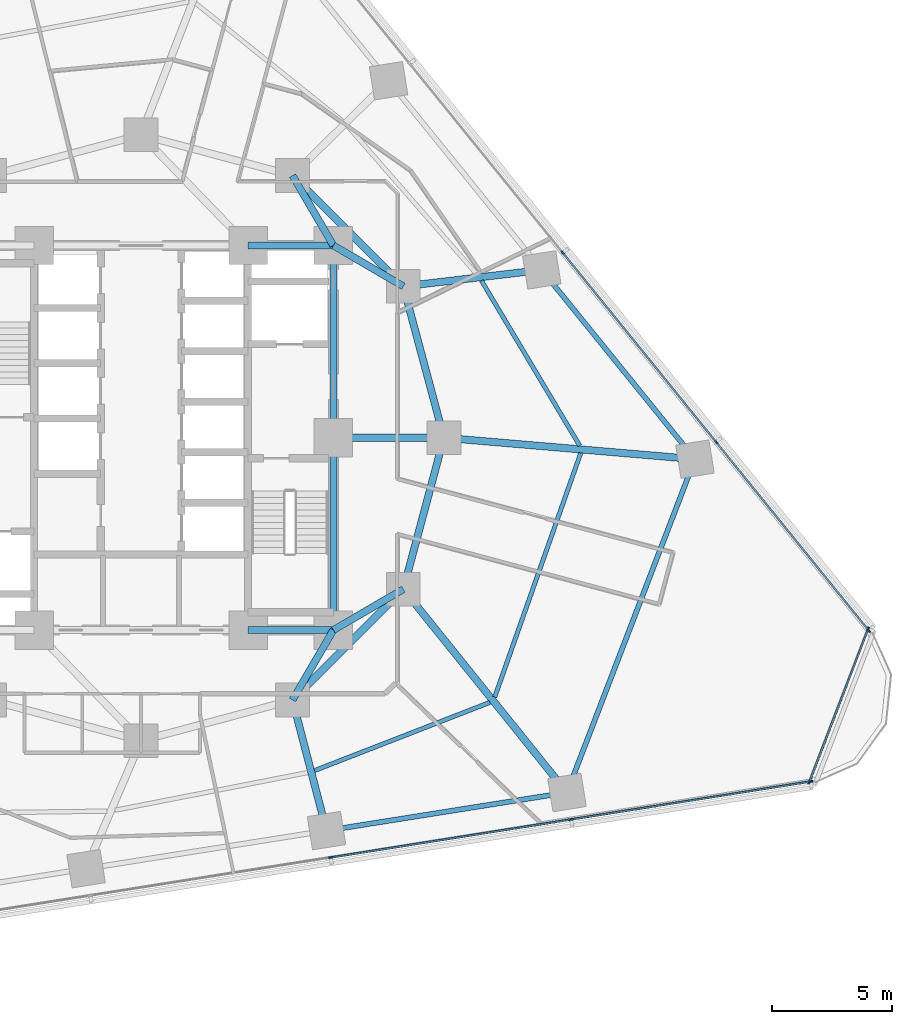
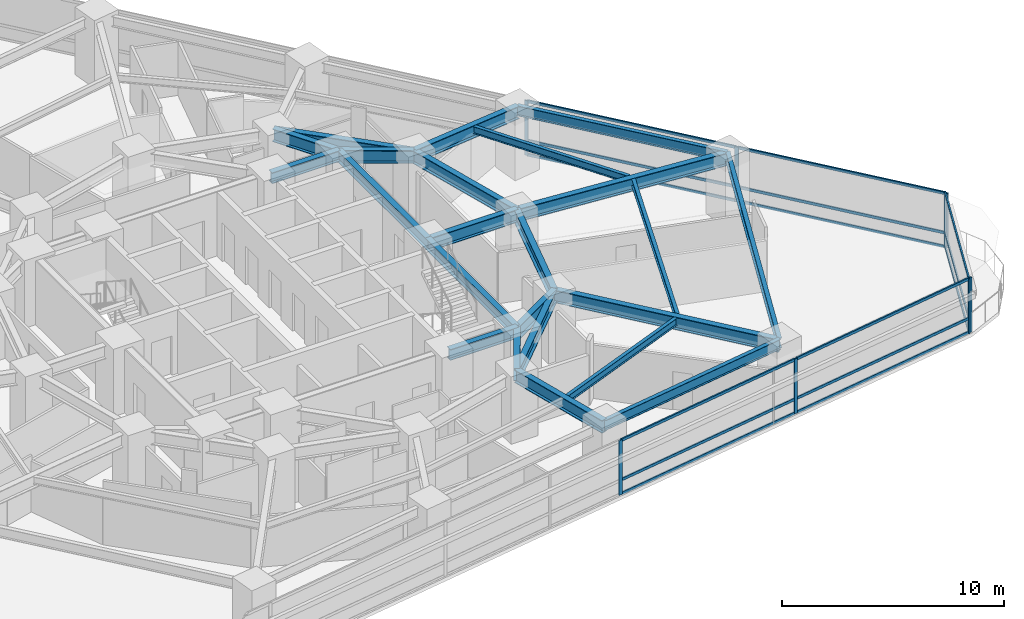
# One storey, part 4 of 14: 23 beams, 23 members, 3 elements without a shape of their own.
"""IFC4 building model written with IfcOpenShell, lengths in metres."""

from ifc_helpers import new_model, si_unit, direction, frame, origin, origin_2d, place, context, subcontext, project, spatial, rectangle, i_section, extrude, material, layer, layer_set, material_profile, profile_set, type_object, element, aggregate, save


model = new_model("IFC4")

# Units and contexts
model_context = context("Model", 3, precision=1e-05, world=origin(), true_north=direction((0.0, 1.0)))
body_context = subcontext(model_context, "Body", "Model", "MODEL_VIEW")
ifc_project = project(units=[si_unit("LENGTHUNIT", "METRE"), si_unit("AREAUNIT", "SQUARE_METRE"), si_unit("VOLUMEUNIT", "CUBIC_METRE"), si_unit("PLANEANGLEUNIT", "RADIAN"), si_unit("MASSUNIT", "GRAM", prefix="KILO")], contexts=[model_context])

# Site, building, storey
site_placement = place(None, origin())
site = spatial("IfcSite", under=ifc_project, at=site_placement, CompositionType="ELEMENT")
building_placement = place(site_placement, origin())
building = spatial("IfcBuilding", under=site, at=building_placement, Name="Terralouvre Media Tower", CompositionType="ELEMENT")
storey_placement = place(building_placement, frame((0.0, 0.0, 70.39990234375)))
storey = spatial("IfcBuildingStorey", under=building, at=storey_placement, Name="L17", CompositionType="ELEMENT", Elevation=70.39990234375)

# Beams
ifc_material_1 = material(Name="Structural steel S355J2", Category="steel")
ifc_material_profile_1 = material_profile(ifc_material_1, i_section(OverallWidth=0.179931640625, OverallDepth=0.39990234375, WebThickness=0.008544921875, FlangeThickness=0.013427734375, at=origin_2d()), Name="IPE 400")
ifc_profile_set_1 = profile_set([ifc_material_profile_1], Name="Structural steel S355J2")
beam_type_1 = type_object("IfcBeamType", Name="Composite Floor Joist J-IPE400 (IPE 400)", PredefinedType="JOIST", material=ifc_profile_set_1)
beam_1_placement = place(storey_placement, frame((7.21826171875, -13.844482421875, 3.300048828125), z_axis=(0.931999401601, 0.362459812139, 0.0), x_axis=(-0.362459812139, 0.931999401601, 0.0)))
element("IfcBeam", 1, at=beam_1_placement, inside=storey, type_object=beam_type_1, Name="L17 Framing Beam JT-L17-04", PredefinedType="JOIST", context=body_context, shape_type="SweptSolid", body=[
    extrude(i_section(OverallWidth=0.179931640625, OverallDepth=0.39990234375, WebThickness=0.008544921875, FlangeThickness=0.013427734375, at=origin_2d()), origin(), (0.0, 0.0, 1.0), 7.82470703125),
])
beam_2_placement = place(storey_placement, frame((14.713623046875, -10.78759765625, 3.300048828125), z_axis=(0.332419189209, 0.943131741935, 0.0), x_axis=(-0.943131741935, 0.332419189209, 0.0)))
element("IfcBeam", 2, at=beam_2_placement, inside=storey, type_object=beam_type_1, Name="L17 Framing Beam JT-L17-05", PredefinedType="JOIST", context=body_context, shape_type="SweptSolid", body=[
    extrude(i_section(OverallWidth=0.179931640625, OverallDepth=0.39990234375, WebThickness=0.008544921875, FlangeThickness=0.013427734375, at=origin_2d()), origin(), (0.0, 0.0, 1.0), 10.766845703125),
])
beam_3_placement = place(storey_placement, frame((18.250244140625, -0.331787109375, 3.300048828125), z_axis=(-0.511572999737, 0.859239818642, 0.0), x_axis=(-0.859239818642, -0.511572999737, 0.0)))
element("IfcBeam", 3, at=beam_3_placement, inside=storey, type_object=beam_type_1, Name="L17 Framing Beam JT-L17-06", PredefinedType="JOIST", context=body_context, shape_type="SweptSolid", body=[
    extrude(i_section(OverallWidth=0.179931640625, OverallDepth=0.39990234375, WebThickness=0.008544921875, FlangeThickness=0.013427734375, at=origin_2d()), origin(), (0.0, 0.0, 1.0), 7.99267578125),
])

# Curtain wall, members
ifc_material_2 = material(Name="Low-iron laminated double glazing with solar-control coating", Category="glass")
ifc_layer_1 = layer(ifc_material_2, 0.1650390625, Name="Lower Media Tower Unitised Curtain Wall CW-02")
ifc_layer_set_1 = layer_set([ifc_layer_1], Name="Low-iron laminated double glazing with solar-control coating")
curtain_wall_type_1 = type_object("IfcCurtainWallType", Name="Lower Media Tower Unitised Curtain Wall CW-02", PredefinedType="NOTDEFINED", material=ifc_layer_set_1)
curtain_wall_1_placement = place(storey_placement, origin())
curtain_wall_1 = element("IfcCurtainWall", 4, at=curtain_wall_1_placement, inside=storey, type_object=curtain_wall_type_1, Name="L17 Facade Curtain Wall F0", PredefinedType="NOTDEFINED")
ifc_material_3 = material(Name="Anodised extruded aluminium 6063-T6", Category="aluminium")
ifc_material_profile_2 = material_profile(ifc_material_3, rectangle(XDim=0.074951171875, YDim=0.14990234375, at=origin_2d()), Name="ALU 75x150")
ifc_profile_set_2 = profile_set([ifc_material_profile_2], Name="Anodised extruded aluminium 6063-T6")
member_type_1 = type_object("IfcMemberType", Name="Curtain-Wall Horizontal Transom TR-150", PredefinedType="USERDEFINED", material=ifc_profile_set_2)
member_1_placement = place(storey_placement, frame((7.929443359375, -17.452880859375, 0.03759765625), z_axis=(0.987690198625, 0.156422733448, 0.0), x_axis=(-0.156422733448, 0.987690198625, 0.0)))
member_1 = element("IfcMember", 5, at=member_1_placement, type_object=member_type_1, Name="CW-02 transom 4.1", ObjectType="TRANSOM", PredefinedType="USERDEFINED", context=body_context, shape_type="SweptSolid", body=[
    extrude(rectangle(XDim=0.074951171875, YDim=0.14990234375, at=origin_2d()), origin(), (0.0, 0.0, 1.0), 10.052978515625),
])
member_2_placement = place(storey_placement, frame((7.929443359375, -17.452880859375, 0.800048828125), z_axis=(0.987690198625, 0.156422733448, 0.0), x_axis=(-0.156422733448, 0.987690198625, 0.0)))
member_2 = element("IfcMember", 6, at=member_2_placement, type_object=member_type_1, Name="CW-02 transom 4.2", ObjectType="TRANSOM", PredefinedType="USERDEFINED", context=body_context, shape_type="SweptSolid", body=[
    extrude(rectangle(XDim=0.074951171875, YDim=0.14990234375, at=origin_2d()), origin(), (0.0, 0.0, 1.0), 10.052978515625),
])
member_3_placement = place(storey_placement, frame((7.929443359375, -17.452880859375, 2.962646484375), z_axis=(0.987690198625, 0.156422733448, 0.0), x_axis=(-0.156422733448, 0.987690198625, 0.0)))
member_3 = element("IfcMember", 7, at=member_3_placement, type_object=member_type_1, Name="CW-02 transom 4.3", ObjectType="TRANSOM", PredefinedType="USERDEFINED", context=body_context, shape_type="SweptSolid", body=[
    extrude(rectangle(XDim=0.074951171875, YDim=0.14990234375, at=origin_2d()), origin(), (0.0, 0.0, 1.0), 10.052978515625),
])
member_4_placement = place(storey_placement, frame((17.9326171875, -15.86865234375, 0.03759765625), z_axis=(0.987686755457, 0.156444472878, 0.0), x_axis=(-0.156444472878, 0.987686755457, 0.0)))
member_4 = element("IfcMember", 8, at=member_4_placement, type_object=member_type_1, Name="CW-02 transom 5.1", ObjectType="TRANSOM", PredefinedType="USERDEFINED", context=body_context, shape_type="SweptSolid", body=[
    extrude(rectangle(XDim=0.074951171875, YDim=0.14990234375, at=origin_2d()), origin(), (0.0, 0.0, 1.0), 10.015625),
])
member_5_placement = place(storey_placement, frame((17.9326171875, -15.86865234375, 0.800048828125), z_axis=(0.987686755457, 0.156444472878, 0.0), x_axis=(-0.156444472878, 0.987686755457, 0.0)))
member_5 = element("IfcMember", 9, at=member_5_placement, type_object=member_type_1, Name="CW-02 transom 5.2", ObjectType="TRANSOM", PredefinedType="USERDEFINED", context=body_context, shape_type="SweptSolid", body=[
    extrude(rectangle(XDim=0.074951171875, YDim=0.14990234375, at=origin_2d()), origin(), (0.0, 0.0, 1.0), 10.015625),
])
member_6_placement = place(storey_placement, frame((17.9326171875, -15.86865234375, 2.962646484375), z_axis=(0.987686755457, 0.156444472878, 0.0), x_axis=(-0.156444472878, 0.987686755457, 0.0)))
member_6 = element("IfcMember", 10, at=member_6_placement, type_object=member_type_1, Name="CW-02 transom 5.3", ObjectType="TRANSOM", PredefinedType="USERDEFINED", context=body_context, shape_type="SweptSolid", body=[
    extrude(rectangle(XDim=0.074951171875, YDim=0.14990234375, at=origin_2d()), origin(), (0.0, 0.0, 1.0), 10.015625),
])

curtain_wall_2_placement = place(storey_placement, origin())
curtain_wall_2 = element("IfcCurtainWall", 11, at=curtain_wall_2_placement, inside=storey, type_object=curtain_wall_type_1, Name="L17 Facade Curtain Wall F1", PredefinedType="NOTDEFINED")
member_7_placement = place(storey_placement, frame((30.247802734375, -7.990234375, 0.03759765625), z_axis=(-0.629312521445, 0.777152334071, 0.0), x_axis=(-0.777152334071, -0.629312521445, 0.0)))
member_7 = element("IfcMember", 12, at=member_7_placement, type_object=member_type_1, Name="CW-02 transom 1.1", ObjectType="TRANSOM", PredefinedType="USERDEFINED", context=body_context, shape_type="SweptSolid", body=[
    extrude(rectangle(XDim=0.074951171875, YDim=0.14990234375, at=origin_2d()), origin(), (0.0, 0.0, 1.0), 10.015625),
])
member_8_placement = place(storey_placement, frame((30.247802734375, -7.990234375, 0.800048828125), z_axis=(-0.629312521445, 0.777152334071, 0.0), x_axis=(-0.777152334071, -0.629312521445, 0.0)))
member_8 = element("IfcMember", 13, at=member_8_placement, type_object=member_type_1, Name="CW-02 transom 1.2", ObjectType="TRANSOM", PredefinedType="USERDEFINED", context=body_context, shape_type="SweptSolid", body=[
    extrude(rectangle(XDim=0.074951171875, YDim=0.14990234375, at=origin_2d()), origin(), (0.0, 0.0, 1.0), 10.015625),
])
member_9_placement = place(storey_placement, frame((30.247802734375, -7.990234375, 2.962646484375), z_axis=(-0.629312521445, 0.777152334071, 0.0), x_axis=(-0.777152334071, -0.629312521445, 0.0)))
member_9 = element("IfcMember", 14, at=member_9_placement, type_object=member_type_1, Name="CW-02 transom 1.3", ObjectType="TRANSOM", PredefinedType="USERDEFINED", context=body_context, shape_type="SweptSolid", body=[
    extrude(rectangle(XDim=0.074951171875, YDim=0.14990234375, at=origin_2d()), origin(), (0.0, 0.0, 1.0), 10.015625),
])
member_10_placement = place(storey_placement, frame((23.8974609375, -0.1484375, 0.03759765625), z_axis=(-0.629307207311, 0.777156637253, 0.0), x_axis=(-0.777156637253, -0.629307207311, 0.0)))
member_10 = element("IfcMember", 15, at=member_10_placement, type_object=member_type_1, Name="CW-02 transom 2.1", ObjectType="TRANSOM", PredefinedType="USERDEFINED", context=body_context, shape_type="SweptSolid", body=[
    extrude(rectangle(XDim=0.074951171875, YDim=0.14990234375, at=origin_2d()), origin(), (0.0, 0.0, 1.0), 10.052978515625),
])
member_11_placement = place(storey_placement, frame((23.8974609375, -0.1484375, 0.800048828125), z_axis=(-0.629307207311, 0.777156637253, 0.0), x_axis=(-0.777156637253, -0.629307207311, 0.0)))
member_11 = element("IfcMember", 16, at=member_11_placement, type_object=member_type_1, Name="CW-02 transom 2.2", ObjectType="TRANSOM", PredefinedType="USERDEFINED", context=body_context, shape_type="SweptSolid", body=[
    extrude(rectangle(XDim=0.074951171875, YDim=0.14990234375, at=origin_2d()), origin(), (0.0, 0.0, 1.0), 10.052978515625),
])
member_12_placement = place(storey_placement, frame((23.8974609375, -0.1484375, 2.962646484375), z_axis=(-0.629307207311, 0.777156637253, 0.0), x_axis=(-0.777156637253, -0.629307207311, 0.0)))
member_12 = element("IfcMember", 17, at=member_12_placement, type_object=member_type_1, Name="CW-02 transom 2.3", ObjectType="TRANSOM", PredefinedType="USERDEFINED", context=body_context, shape_type="SweptSolid", body=[
    extrude(rectangle(XDim=0.074951171875, YDim=0.14990234375, at=origin_2d()), origin(), (0.0, 0.0, 1.0), 10.052978515625),
])

ifc_material_4 = material(Name="Low-iron laminated double glazing with solar-control coating", Category="glass")
ifc_layer_2 = layer(ifc_material_4, 0.1650390625, Name="Rounded Wind-Corner Curved Glazing CW-04")
ifc_layer_set_2 = layer_set([ifc_layer_2], Name="Low-iron laminated double glazing with solar-control coating")
curtain_wall_type_2 = type_object("IfcCurtainWallType", Name="Rounded Wind-Corner Curved Glazing CW-04", PredefinedType="NOTDEFINED", material=ifc_layer_set_2)
curtain_wall_3_placement = place(storey_placement, origin())
curtain_wall_3 = element("IfcCurtainWall", 18, at=curtain_wall_3_placement, inside=storey, type_object=curtain_wall_type_2, Name="L17 Rounded Wind-Corner Curtain Wall C1", PredefinedType="NOTDEFINED")
member_13_placement = place(storey_placement, frame((27.81396484375, -14.288330078125, 0.03759765625), z_axis=(0.358345802392, 0.933588927691, 0.0), x_axis=(-0.933588927691, 0.358345802392, 0.0)))
member_13 = element("IfcMember", 19, at=member_13_placement, type_object=member_type_1, Name="CW-04 transom 1.1", ObjectType="TRANSOM", PredefinedType="USERDEFINED", context=body_context, shape_type="SweptSolid", body=[
    extrude(rectangle(XDim=0.074951171875, YDim=0.14990234375, at=origin_2d()), origin(), (0.0, 0.0, 1.0), 6.743408203125),
])
member_14_placement = place(storey_placement, frame((27.81396484375, -14.288330078125, 0.800048828125), z_axis=(0.358345802392, 0.933588927691, 0.0), x_axis=(-0.933588927691, 0.358345802392, 0.0)))
member_14 = element("IfcMember", 20, at=member_14_placement, type_object=member_type_1, Name="CW-04 transom 1.2", ObjectType="TRANSOM", PredefinedType="USERDEFINED", context=body_context, shape_type="SweptSolid", body=[
    extrude(rectangle(XDim=0.074951171875, YDim=0.14990234375, at=origin_2d()), origin(), (0.0, 0.0, 1.0), 6.743408203125),
])
member_15_placement = place(storey_placement, frame((27.81396484375, -14.288330078125, 2.962646484375), z_axis=(0.358345802392, 0.933588927691, 0.0), x_axis=(-0.933588927691, 0.358345802392, 0.0)))
member_15 = element("IfcMember", 21, at=member_15_placement, type_object=member_type_1, Name="CW-04 transom 1.3", ObjectType="TRANSOM", PredefinedType="USERDEFINED", context=body_context, shape_type="SweptSolid", body=[
    extrude(rectangle(XDim=0.074951171875, YDim=0.14990234375, at=origin_2d()), origin(), (0.0, 0.0, 1.0), 6.743408203125),
])

# Member
ifc_material_5 = material(Name="Anodised extruded aluminium 6063-T6", Category="aluminium")
ifc_material_profile_3 = material_profile(ifc_material_5, rectangle(XDim=0.074951171875, YDim=0.179931640625, at=origin_2d()), Name="ALU 75x180")
ifc_profile_set_3 = profile_set([ifc_material_profile_3], Name="Anodised extruded aluminium 6063-T6")
member_type_2 = type_object("IfcMemberType", Name="Curtain-Wall Vertical Mullion ML-180", PredefinedType="MULLION", material=ifc_profile_set_3)
member_16_placement = place(storey_placement, frame((7.892333984375, -17.458740234375, 0.0), z_axis=(0.0, 0.0, 1.0), x_axis=(-0.156434462903, 0.987688340934, 0.0)))
member_16 = element("IfcMember", 22, at=member_16_placement, type_object=member_type_2, Name="CW-02 mullion 4", PredefinedType="MULLION", context=body_context, shape_type="SweptSolid", body=[
    extrude(rectangle(XDim=0.074951171875, YDim=0.179931640625, at=origin_2d()), origin(), (0.0, 0.0, 1.0), 3.0),
])

member_17_placement = place(storey_placement, frame((17.895751953125, -15.87451171875, 0.0), z_axis=(0.0, 0.0, 1.0), x_axis=(-0.156434462903, 0.987688340934, 0.0)))
member_17 = element("IfcMember", 23, at=member_17_placement, type_object=member_type_2, Name="CW-02 mullion 5", PredefinedType="MULLION", context=body_context, shape_type="SweptSolid", body=[
    extrude(rectangle(XDim=0.074951171875, YDim=0.179931640625, at=origin_2d()), origin(), (0.0, 0.0, 1.0), 3.0),
])

member_18_placement = place(storey_placement, frame((27.86181640625, -14.2958984375, 0.0), z_axis=(0.0, 0.0, 1.0), x_axis=(-0.156434462903, 0.987688340934, 0.0)))
member_18 = element("IfcMember", 24, at=member_18_placement, type_object=member_type_2, Name="CW-02 mullion 6", PredefinedType="MULLION", context=body_context, shape_type="SweptSolid", body=[
    extrude(rectangle(XDim=0.074951171875, YDim=0.179931640625, at=origin_2d()), origin(), (0.0, 0.0, 1.0), 3.0),
])

aggregate(curtain_wall_1, [member_16, member_17, member_18, member_1, member_2, member_3, member_4, member_5, member_6])

member_19_placement = place(storey_placement, frame((30.271240234375, -8.019287109375, 0.0), z_axis=(0.0, 0.0, 1.0), x_axis=(-0.777145994276, -0.629320350521, 0.0)))
member_19 = element("IfcMember", 25, at=member_19_placement, type_object=member_type_2, Name="CW-02 mullion 1", PredefinedType="MULLION", context=body_context, shape_type="SweptSolid", body=[
    extrude(rectangle(XDim=0.074951171875, YDim=0.179931640625, at=origin_2d()), origin(), (0.0, 0.0, 1.0), 3.0),
])

member_20_placement = place(storey_placement, frame((23.921142578125, -0.177490234375, 0.0), z_axis=(0.0, 0.0, 1.0), x_axis=(-0.777145994276, -0.629320350521, 0.0)))
member_20 = element("IfcMember", 26, at=member_20_placement, type_object=member_type_2, Name="CW-02 mullion 2", PredefinedType="MULLION", context=body_context, shape_type="SweptSolid", body=[
    extrude(rectangle(XDim=0.074951171875, YDim=0.179931640625, at=origin_2d()), origin(), (0.0, 0.0, 1.0), 3.0),
])

member_21_placement = place(storey_placement, frame((17.54736328125, 7.693359375, 0.0), z_axis=(0.0, 0.0, 1.0), x_axis=(-0.777145994276, -0.629320350521, 0.0)))
member_21 = element("IfcMember", 27, at=member_21_placement, type_object=member_type_2, Name="CW-02 mullion 3", PredefinedType="MULLION", context=body_context, shape_type="SweptSolid", body=[
    extrude(rectangle(XDim=0.074951171875, YDim=0.179931640625, at=origin_2d()), origin(), (0.0, 0.0, 1.0), 3.0),
])

aggregate(curtain_wall_2, [member_19, member_20, member_21, member_7, member_8, member_9, member_10, member_11, member_12])

member_22_placement = place(storey_placement, frame((27.800537109375, -14.323486328125, 0.0), z_axis=(0.0, 0.0, 1.0), x_axis=(-0.933580609478, 0.358367472863, 0.0)))
member_22 = element("IfcMember", 28, at=member_22_placement, type_object=member_type_2, Name="CW-04 mullion 1", PredefinedType="MULLION", context=body_context, shape_type="SweptSolid", body=[
    extrude(rectangle(XDim=0.074951171875, YDim=0.179931640625, at=origin_2d()), origin(), (0.0, 0.0, 1.0), 3.0),
])

member_23_placement = place(storey_placement, frame((30.243896484375, -7.957763671875, 0.0), z_axis=(0.0, 0.0, 1.0), x_axis=(-0.933580609478, 0.358367472863, 0.0)))
member_23 = element("IfcMember", 29, at=member_23_placement, type_object=member_type_2, Name="CW-04 mullion 2", PredefinedType="MULLION", context=body_context, shape_type="SweptSolid", body=[
    extrude(rectangle(XDim=0.074951171875, YDim=0.179931640625, at=origin_2d()), origin(), (0.0, 0.0, 1.0), 3.0),
])

aggregate(curtain_wall_3, [member_22, member_23, member_13, member_14, member_15])

# Beams
ifc_material_6 = material(Name="Structural steel S355J2", Category="steel")
ifc_material_profile_4 = material_profile(ifc_material_6, i_section(OverallWidth=0.2099609375, OverallDepth=0.550048828125, WebThickness=0.010986328125, FlangeThickness=0.01708984375, at=origin_2d()), Name="IPE 550")
ifc_profile_set_4 = profile_set([ifc_material_profile_4], Name="Structural steel S355J2")
beam_type_2 = type_object("IfcBeamType", Name="Perimeter Spandrel Beam SPB-550 (IPE 550)", PredefinedType="SPANDREL", material=ifc_profile_set_4)
beam_4_placement = place(storey_placement, frame((7.715576171875, -16.3427734375, 3.22509765625), z_axis=(0.987686424887, 0.156446559869, 0.0), x_axis=(-0.156446559869, 0.987686424887, 0.0)))
element("IfcBeam", 30, at=beam_4_placement, inside=storey, type_object=beam_type_2, Name="L17 Framing Beam BM-L17-PR04", PredefinedType="SPANDREL", context=body_context, shape_type="SweptSolid", body=[
    extrude(i_section(OverallWidth=0.2099609375, OverallDepth=0.550048828125, WebThickness=0.010986328125, FlangeThickness=0.01708984375, at=origin_2d()), origin(), (0.0, 0.0, 1.0), 10.1279296875),
])
beam_5_placement = place(storey_placement, frame((17.71875, -14.75830078125, 3.22509765625), z_axis=(0.358377748767, 0.933576664869, 0.0), x_axis=(-0.933576664869, 0.358377748767, 0.0)))
element("IfcBeam", 31, at=beam_5_placement, inside=storey, type_object=beam_type_2, Name="L17 Framing Beam BM-L17-PR05", PredefinedType="SPANDREL", context=body_context, shape_type="SweptSolid", body=[
    extrude(i_section(OverallWidth=0.2099609375, OverallDepth=0.550048828125, WebThickness=0.010986328125, FlangeThickness=0.01708984375, at=origin_2d()), origin(), (0.0, 0.0, 1.0), 14.8564453125),
])
beam_6_placement = place(storey_placement, frame((23.04296875, -0.888671875, 3.22509765625), z_axis=(-0.629314025627, 0.777151116031, 0.0), x_axis=(-0.777151116031, -0.629314025627, 0.0)))
element("IfcBeam", 32, at=beam_6_placement, inside=storey, type_object=beam_type_2, Name="L17 Framing Beam BM-L17-PR06", PredefinedType="SPANDREL", context=body_context, shape_type="SweptSolid", body=[
    extrude(i_section(OverallWidth=0.2099609375, OverallDepth=0.550048828125, WebThickness=0.010986328125, FlangeThickness=0.01708984375, at=origin_2d()), origin(), (0.0, 0.0, 1.0), 10.128173828125),
])
ifc_material_7 = material(Name="Structural steel S460M", Category="steel")
ifc_material_profile_5 = material_profile(ifc_material_7, i_section(OverallWidth=0.300048828125, OverallDepth=0.60009765625, WebThickness=0.015380859375, FlangeThickness=0.030029296875, at=origin_2d()), Name="HEB 600")
ifc_profile_set_5 = profile_set([ifc_material_profile_5], Name="Structural steel S460M")
beam_type_3 = type_object("IfcBeamType", Name="Primary Floor Girder B-HEB600 (HEB 600)", PredefinedType="BEAM", material=ifc_profile_set_5)
beam_7_placement = place(storey_placement, frame((4.449951171875, -8.0, 3.2001953125), z_axis=(1.0, 0.0, 0.0), x_axis=(0.0, 1.0, 0.0)))
element("IfcBeam", 33, at=beam_7_placement, inside=storey, type_object=beam_type_3, Name="L17 Framing Beam BM-L17-CPR03", PredefinedType="BEAM", context=body_context, shape_type="SweptSolid", body=[
    extrude(i_section(OverallWidth=0.300048828125, OverallDepth=0.60009765625, WebThickness=0.015380859375, FlangeThickness=0.030029296875, at=origin_2d()), origin(), (0.0, 0.0, 1.0), 3.550048828125),
])
for number, where, z_axis, x_axis, name in (
    (34, (8.0, -8.0, 3.2001953125), (0.0, 1.0, 0.0), (-1.0, 0.0, 0.0), "L17 Framing Beam BM-L17-CPR04"),
    (35, (8.0, 0.0, 3.2001953125), (0.0, 1.0, 0.0), (-1.0, 0.0, 0.0), "L17 Framing Beam BM-L17-CPR05"),
):
    element("IfcBeam", number, at=place(storey_placement, frame(where, z_axis=z_axis, x_axis=x_axis)), inside=storey, type_object=beam_type_3, Name=name, PredefinedType="BEAM", context=body_context, shape_type="SweptSolid", body=[
        extrude(i_section(OverallWidth=0.300048828125, OverallDepth=0.60009765625, WebThickness=0.015380859375, FlangeThickness=0.030029296875, at=origin_2d()), origin(), (0.0, 0.0, 1.0), 8.0),
    ])
beam_8_placement = place(storey_placement, frame((8.0, 8.0, 3.2001953125), z_axis=(-1.0, 0.0, 0.0), x_axis=(0.0, -1.0, 0.0)))
element("IfcBeam", 36, at=beam_8_placement, inside=storey, type_object=beam_type_3, Name="L17 Framing Beam BM-L17-CPR06", PredefinedType="BEAM", context=body_context, shape_type="SweptSolid", body=[
    extrude(i_section(OverallWidth=0.300048828125, OverallDepth=0.60009765625, WebThickness=0.015380859375, FlangeThickness=0.030029296875, at=origin_2d()), origin(), (0.0, 0.0, 1.0), 3.550048828125),
])
ifc_material_8 = material(Name="Structural steel S460M", Category="steel")
ifc_material_profile_6 = material_profile(ifc_material_8, i_section(OverallWidth=0.300048828125, OverallDepth=0.699951171875, WebThickness=0.01708984375, FlangeThickness=0.031982421875, at=origin_2d()), Name="HEB 700")
ifc_profile_set_6 = profile_set([ifc_material_profile_6], Name="Structural steel S460M")
beam_type_4 = type_object("IfcBeamType", Name="Primary Floor Girder B-HEB700 (HEB 700)", PredefinedType="BEAM", material=ifc_profile_set_6)
beam_9_placement = place(storey_placement, frame((6.300048828125, -10.911865234375, 3.150146484375), z_axis=(0.707106781187, 0.707106781187, 0.0), x_axis=(-0.707106781187, 0.707106781187, 0.0)))
element("IfcBeam", 37, at=beam_9_placement, inside=storey, type_object=beam_type_4, Name="L17 Framing Beam BM-L17-MR04", PredefinedType="BEAM", context=body_context, shape_type="SweptSolid", body=[
    extrude(i_section(OverallWidth=0.300048828125, OverallDepth=0.699951171875, WebThickness=0.01708984375, FlangeThickness=0.031982421875, at=origin_2d()), origin(), (0.0, 0.0, 1.0), 6.52197265625),
])
for number, where, z_axis, x_axis, name in (
    (38, (10.911865234375, -6.300048828125, 3.150146484375), (0.258838989821, 0.965920481897, 0.0), (-0.965920481897, 0.258838989821, 0.0), "L17 Framing Beam BM-L17-MR05"),
    (39, (12.60009765625, 0.0, 3.150146484375), (-0.258838989821, 0.965920481897, 0.0), (-0.965920481897, -0.258838989821, 0.0), "L17 Framing Beam BM-L17-MR06"),
):
    element("IfcBeam", number, at=place(storey_placement, frame(where, z_axis=z_axis, x_axis=x_axis)), inside=storey, type_object=beam_type_4, Name=name, PredefinedType="BEAM", context=body_context, shape_type="SweptSolid", body=[
        extrude(i_section(OverallWidth=0.300048828125, OverallDepth=0.699951171875, WebThickness=0.01708984375, FlangeThickness=0.031982421875, at=origin_2d()), origin(), (0.0, 0.0, 1.0), 6.522216796875),
    ])
beam_10_placement = place(storey_placement, frame((10.911865234375, 6.300048828125, 3.150146484375), z_axis=(-0.707106781187, 0.707106781187, 0.0), x_axis=(-0.707106781187, -0.707106781187, 0.0)))
element("IfcBeam", 40, at=beam_10_placement, inside=storey, type_object=beam_type_4, Name="L17 Framing Beam BM-L17-MR07", PredefinedType="BEAM", context=body_context, shape_type="SweptSolid", body=[
    extrude(i_section(OverallWidth=0.300048828125, OverallDepth=0.699951171875, WebThickness=0.01708984375, FlangeThickness=0.031982421875, at=origin_2d()), origin(), (0.0, 0.0, 1.0), 6.52197265625),
])
for number, where, z_axis, x_axis, name in (
    (41, (8.0, -8.0, 3.150146484375), (-0.504172629717, -0.863602894532, 0.0), (0.863602894532, -0.504172629717, 0.0), "L17 Framing Beam BM-L17-CM04"),
    (42, (8.0, -8.0, 3.150146484375), (0.863602894532, 0.504172629717, 0.0), (-0.504172629717, 0.863602894532, 0.0), "L17 Framing Beam BM-L17-CM05"),
):
    element("IfcBeam", number, at=place(storey_placement, frame(where, z_axis=z_axis, x_axis=x_axis)), inside=storey, type_object=beam_type_4, Name=name, PredefinedType="BEAM", context=body_context, shape_type="SweptSolid", body=[
        extrude(i_section(OverallWidth=0.300048828125, OverallDepth=0.699951171875, WebThickness=0.01708984375, FlangeThickness=0.031982421875, at=origin_2d()), origin(), (0.0, 0.0, 1.0), 3.371826171875),
    ])
beam_11_placement = place(storey_placement, frame((8.0, 0.0, 3.150146484375), z_axis=(1.0, 0.0, 0.0), x_axis=(0.0, 1.0, 0.0)))
element("IfcBeam", 43, at=beam_11_placement, inside=storey, type_object=beam_type_4, Name="L17 Framing Beam BM-L17-CM06", PredefinedType="BEAM", context=body_context, shape_type="SweptSolid", body=[
    extrude(i_section(OverallWidth=0.300048828125, OverallDepth=0.699951171875, WebThickness=0.01708984375, FlangeThickness=0.031982421875, at=origin_2d()), origin(), (0.0, 0.0, 1.0), 4.60009765625),
])
for number, where, z_axis, x_axis, name in (
    (44, (8.0, 8.0, 3.150146484375), (0.863602894532, -0.504172629717, 0.0), (0.504172629717, 0.863602894532, 0.0), "L17 Framing Beam BM-L17-CM07"),
    (45, (8.0, 8.0, 3.150146484375), (-0.504172629717, 0.863602894532, 0.0), (-0.863602894532, -0.504172629717, 0.0), "L17 Framing Beam BM-L17-CM08"),
):
    element("IfcBeam", number, at=place(storey_placement, frame(where, z_axis=z_axis, x_axis=x_axis)), inside=storey, type_object=beam_type_4, Name=name, PredefinedType="BEAM", context=body_context, shape_type="SweptSolid", body=[
        extrude(i_section(OverallWidth=0.300048828125, OverallDepth=0.699951171875, WebThickness=0.01708984375, FlangeThickness=0.031982421875, at=origin_2d()), origin(), (0.0, 0.0, 1.0), 3.371826171875),
    ])
beam_12_placement = place(storey_placement, frame((6.300048828125, -10.911865234375, 3.150146484375), z_axis=(0.252216476238, -0.967670837172, 0.0), x_axis=(0.967670837172, 0.252216476238, 0.0)))
element("IfcBeam", 46, at=beam_12_placement, inside=storey, type_object=beam_type_4, Name="L17 Framing Beam BM-L17-RD04", PredefinedType="BEAM", context=body_context, shape_type="SweptSolid", body=[
    extrude(i_section(OverallWidth=0.300048828125, OverallDepth=0.699951171875, WebThickness=0.01708984375, FlangeThickness=0.031982421875, at=origin_2d()), origin(), (0.0, 0.0, 1.0), 5.6123046875),
])
beam_13_placement = place(storey_placement, frame((10.911865234375, -6.300048828125, 3.150146484375), z_axis=(0.626954818356, -0.779055617874, 0.0), x_axis=(0.779055617874, 0.626954818356, 0.0)))
element("IfcBeam", 47, at=beam_13_placement, inside=storey, type_object=beam_type_4, Name="L17 Framing Beam BM-L17-RD05", PredefinedType="BEAM", context=body_context, shape_type="SweptSolid", body=[
    extrude(i_section(OverallWidth=0.300048828125, OverallDepth=0.699951171875, WebThickness=0.01708984375, FlangeThickness=0.031982421875, at=origin_2d()), origin(), (0.0, 0.0, 1.0), 10.857177734375),
])
beam_14_placement = place(storey_placement, frame((12.60009765625, 0.0, 3.150146484375), z_axis=(0.996398677219, -0.084791957382, 0.0), x_axis=(0.084791957382, 0.996398677219, 0.0)))
element("IfcBeam", 48, at=beam_14_placement, inside=storey, type_object=beam_type_4, Name="L17 Framing Beam BM-L17-RD06", PredefinedType="BEAM", context=body_context, shape_type="SweptSolid", body=[
    extrude(i_section(OverallWidth=0.300048828125, OverallDepth=0.699951171875, WebThickness=0.01708984375, FlangeThickness=0.031982421875, at=origin_2d()), origin(), (0.0, 0.0, 1.0), 10.480712890625),
])
beam_15_placement = place(storey_placement, frame((10.911865234375, 6.300048828125, 3.150146484375), z_axis=(0.993049341372, 0.117698791838, 0.0), x_axis=(-0.117698791838, 0.993049341372, 0.0)))
element("IfcBeam", 49, at=beam_15_placement, inside=storey, type_object=beam_type_4, Name="L17 Framing Beam BM-L17-RD07", PredefinedType="BEAM", context=body_context, shape_type="SweptSolid", body=[
    extrude(i_section(OverallWidth=0.300048828125, OverallDepth=0.699951171875, WebThickness=0.01708984375, FlangeThickness=0.031982421875, at=origin_2d()), origin(), (0.0, 0.0, 1.0), 5.797607421875),
])

save(model, "model.ifc")
